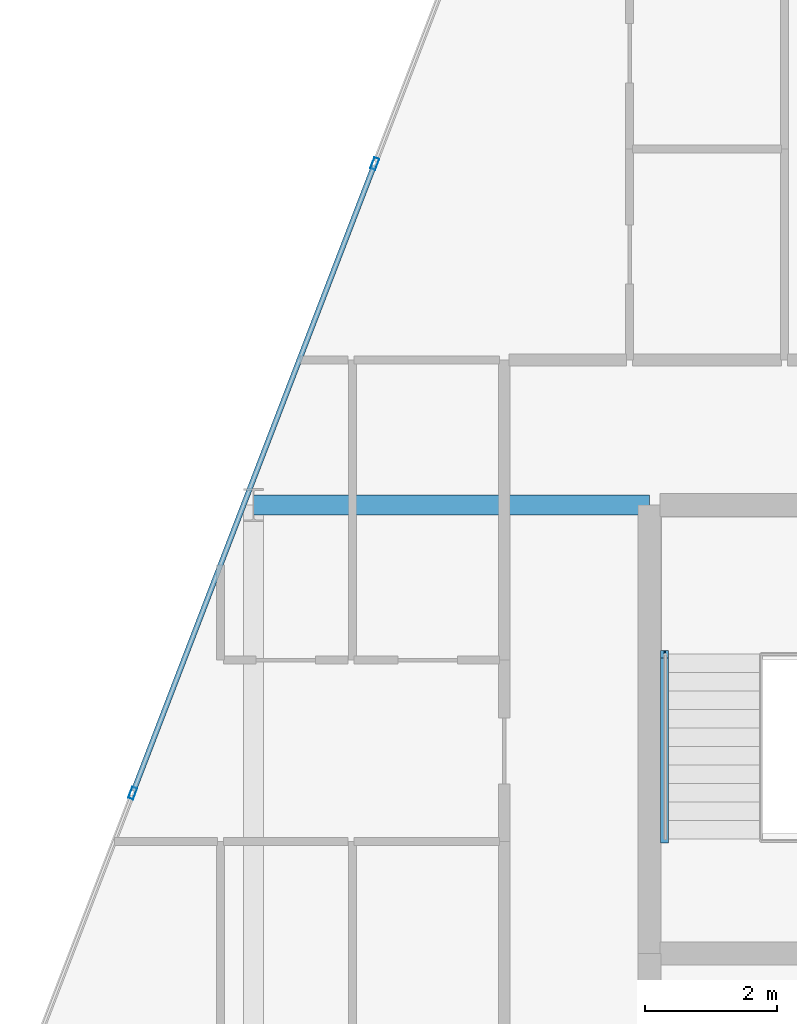
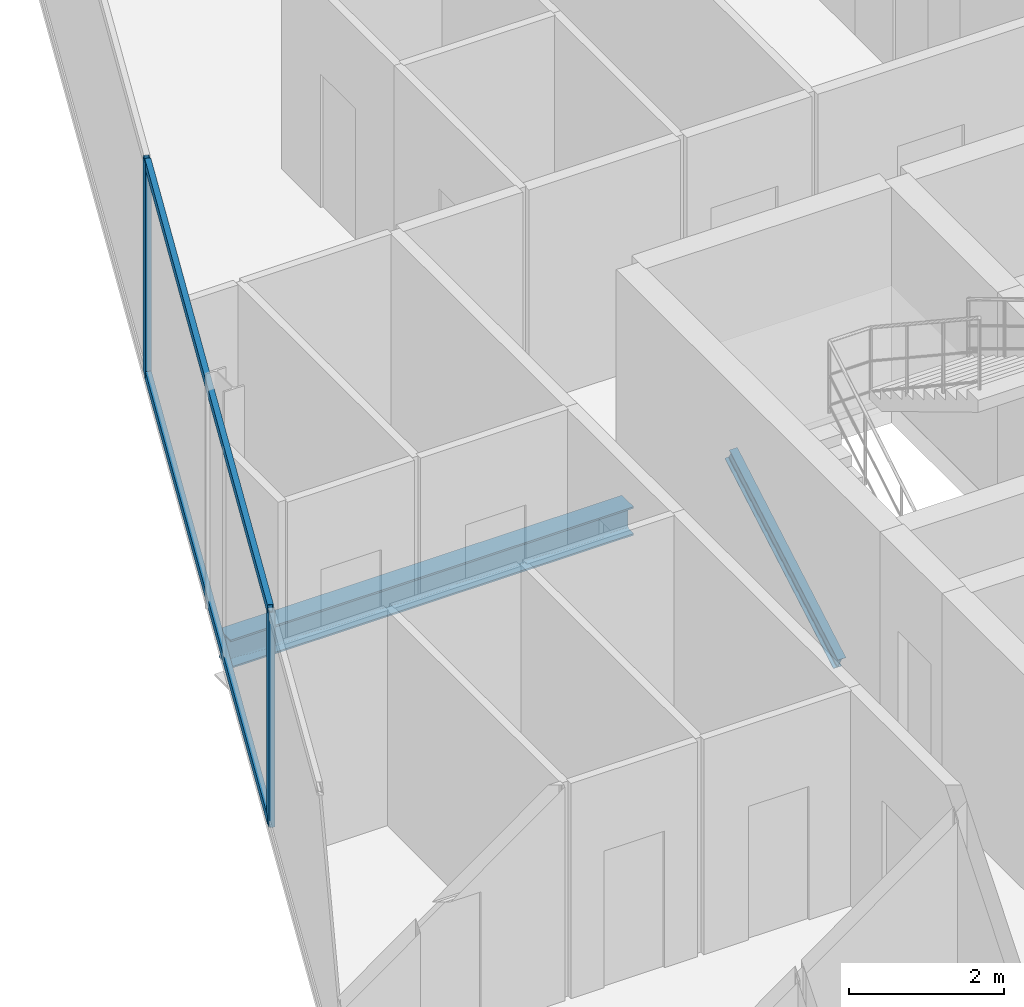
# One storey, part 15 of 32: 5 members, 1 beam, 1 element without a shape of its own.
"""IFC4 building model written with IfcOpenShell, lengths in metres."""

from ifc_helpers import new_model, si_unit, direction, frame, origin, origin_2d, place, context, subcontext, project, spatial, hollow_rectangle, i_section, extrude, material, layer, layer_set, material_profile, profile_set, type_object, element, aggregate, save


model = new_model("IFC4")

# Units and contexts
model_context = context("Model", 3, precision=1e-05, world=origin(), true_north=direction((0.0, 1.0)))
body_context = subcontext(model_context, "Body", "Model", "MODEL_VIEW")
ifc_project = project(units=[si_unit("LENGTHUNIT", "METRE"), si_unit("AREAUNIT", "SQUARE_METRE"), si_unit("VOLUMEUNIT", "CUBIC_METRE"), si_unit("PLANEANGLEUNIT", "RADIAN"), si_unit("MASSUNIT", "GRAM", prefix="KILO")], contexts=[model_context])

# Site, building, storey
site_placement = place(None, origin())
site = spatial("IfcSite", under=ifc_project, at=site_placement, CompositionType="ELEMENT")
building_placement = place(site_placement, origin())
building = spatial("IfcBuilding", under=site, at=building_placement, Name="Keshet Zoharim Tower", CompositionType="ELEMENT")
storey_placement = place(building_placement, frame((0.0, 0.0, 152.0)))
storey = spatial("IfcBuildingStorey", under=building, at=storey_placement, Name="L37", CompositionType="ELEMENT", Elevation=152.0)

# Beam
ifc_material_1 = material(Name="Steel S355", Category="steel")
ifc_material_profile_1 = material_profile(ifc_material_1, i_section(OverallWidth=0.300048828125, OverallDepth=0.449951171875, WebThickness=0.013916015625, FlangeThickness=0.02587890625, FilletRadius=0.027099609375, at=origin_2d()), Name="HEB450")
ifc_profile_set_1 = profile_set([ifc_material_profile_1], Name="Steel S355")
beam_type = type_object("IfcBeamType", Name="BM-WEB-HB450", PredefinedType="BEAM", material=ifc_profile_set_1)
beam_placement = place(storey_placement, frame((9.0, 37.89990234375, -0.5400390625), z_axis=(1.0, 0.0, 0.0), x_axis=(0.0, 1.0, 0.0)))
element("IfcBeam", 1, at=beam_placement, inside=storey, type_object=beam_type, Name="L37 Primary Girder X-018", PredefinedType="BEAM", context=body_context, shape_type="SweptSolid", body=[
    extrude(i_section(OverallWidth=0.300048828125, OverallDepth=0.449951171875, WebThickness=0.013916015625, FlangeThickness=0.02587890625, FilletRadius=0.027099609375, at=origin_2d()), origin(), (0.0, 0.0, 1.0), 6.0),
])

# Curtain wall, members
ifc_material_2 = material(Name="Aluminium 6063-T6", Category="aluminium")
ifc_layer = layer(ifc_material_2, 0.159912109375)
ifc_layer_set = layer_set([ifc_layer], Name="Aluminium 6063-T6")
curtain_wall_type = type_object("IfcCurtainWallType", Name="CW-SYS-03", PredefinedType="NOTDEFINED", material=ifc_layer_set)
curtain_wall_placement = place(storey_placement, origin())
curtain_wall = element("IfcCurtainWall", 2, at=curtain_wall_placement, inside=storey, type_object=curtain_wall_type, Name="L37 Unitised Curtain Wall 10", PredefinedType="NOTDEFINED")
ifc_material_profile_2 = material_profile(ifc_material_2, hollow_rectangle(XDim=0.080078125, YDim=0.179931640625, WallThickness=0.00439453125, at=origin_2d()), Name="MUL-80x180")
ifc_profile_set_2 = profile_set([ifc_material_profile_2], Name="Aluminium 6063-T6")
member_type_1 = type_object("IfcMemberType", Name="CWM-M18", PredefinedType="MULLION", material=ifc_profile_set_2)
member_1_placement = place(storey_placement, frame((7.1669921875, 33.53466796875, 0.0), z_axis=(0.0, 0.0, 1.0), x_axis=(-0.933341404361, 0.358990003907, 0.0)))
member_1 = element("IfcMember", 3, at=member_1_placement, type_object=member_type_1, Name="CW-03 mullion 2", PredefinedType="MULLION", context=body_context, shape_type="SweptSolid", body=[
    extrude(hollow_rectangle(XDim=0.080078125, YDim=0.179931640625, WallThickness=0.00439453125, at=origin_2d()), origin(), (0.0, 0.0, 1.0), 3.385009765625),
])
member_2_placement = place(storey_placement, frame((10.8369140625, 43.076416015625, 0.0), z_axis=(0.0, 0.0, 1.0), x_axis=(-0.933341404361, 0.358990003907, 0.0)))
member_2 = element("IfcMember", 4, at=member_2_placement, type_object=member_type_1, Name="CW-03 mullion 3", PredefinedType="MULLION", context=body_context, shape_type="SweptSolid", body=[
    extrude(hollow_rectangle(XDim=0.080078125, YDim=0.179931640625, WallThickness=0.00439453125, at=origin_2d()), origin(), (0.0, 0.0, 1.0), 3.385009765625),
])
ifc_material_profile_3 = material_profile(ifc_material_2, hollow_rectangle(XDim=0.080078125, YDim=0.139892578125, WallThickness=0.00390625, at=origin_2d()), Name="TRN-80x140")
ifc_profile_set_3 = profile_set([ifc_material_profile_3], Name="Aluminium 6063-T6")
member_type_2 = type_object("IfcMemberType", Name="CWT-T14", PredefinedType="USERDEFINED", material=ifc_profile_set_3)
member_3_placement = place(storey_placement, frame((7.179443359375, 33.5673828125, 0.034912109375), z_axis=(0.359003248899, 0.933336309848, 0.0), x_axis=(-0.933336309848, 0.359003248899, 0.0)))
member_3 = element("IfcMember", 5, at=member_3_placement, type_object=member_type_2, Name="CW-03 transom 2.1", ObjectType="TRANSOM", PredefinedType="USERDEFINED", context=body_context, shape_type="SweptSolid", body=[
    extrude(hollow_rectangle(XDim=0.080078125, YDim=0.139892578125, WallThickness=0.00390625, at=origin_2d()), origin(), (0.0, 0.0, 1.0), 10.153076171875),
])
member_4_placement = place(storey_placement, frame((7.179443359375, 33.5673828125, 3.35009765625), z_axis=(0.359003248899, 0.933336309848, 0.0), x_axis=(-0.933336309848, 0.359003248899, 0.0)))
member_4 = element("IfcMember", 6, at=member_4_placement, type_object=member_type_2, Name="CW-03 transom 2.2", ObjectType="TRANSOM", PredefinedType="USERDEFINED", context=body_context, shape_type="SweptSolid", body=[
    extrude(hollow_rectangle(XDim=0.080078125, YDim=0.139892578125, WallThickness=0.00390625, at=origin_2d()), origin(), (0.0, 0.0, 1.0), 10.153076171875),
])
aggregate(curtain_wall, [member_1, member_2, member_3, member_4])

# Member
ifc_material_profile_4 = material_profile(ifc_material_1, i_section(OverallWidth=0.1201171875, OverallDepth=0.239990234375, WebThickness=0.006103515625, FlangeThickness=0.009765625, FilletRadius=0.014892578125, at=origin_2d()), Name="IPE240")
ifc_profile_set_4 = profile_set([ifc_material_profile_4], Name="Steel S355")
member_type_3 = type_object("IfcMemberType", Name="MB-STRG-IP240", PredefinedType="STRINGER", material=ifc_profile_set_4)
member_5_placement = place(storey_placement, frame((15.22998046875, 32.840087890625, 0.1201171875), z_axis=(0.0, 0.866909569656, 0.498465443174), x_axis=(-1.0, 0.0, 0.0)))
element("IfcMember", 7, at=member_5_placement, inside=storey, type_object=member_type_3, Name="L37 ST-02 Flight Steel Stringer", PredefinedType="STRINGER", context=body_context, shape_type="SweptSolid", body=[
    extrude(i_section(OverallWidth=0.1201171875, OverallDepth=0.239990234375, WebThickness=0.006103515625, FlangeThickness=0.009765625, FilletRadius=0.014892578125, at=origin_2d()), origin(), (0.0, 0.0, 1.0), 3.229736328125),
])

save(model, "model.ifc")
